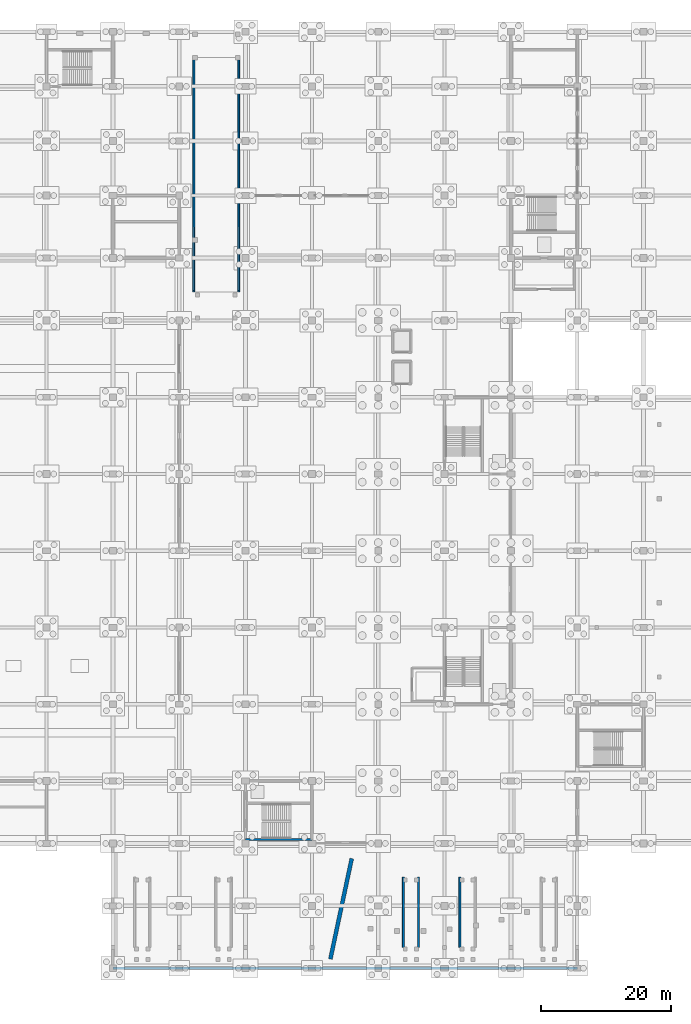
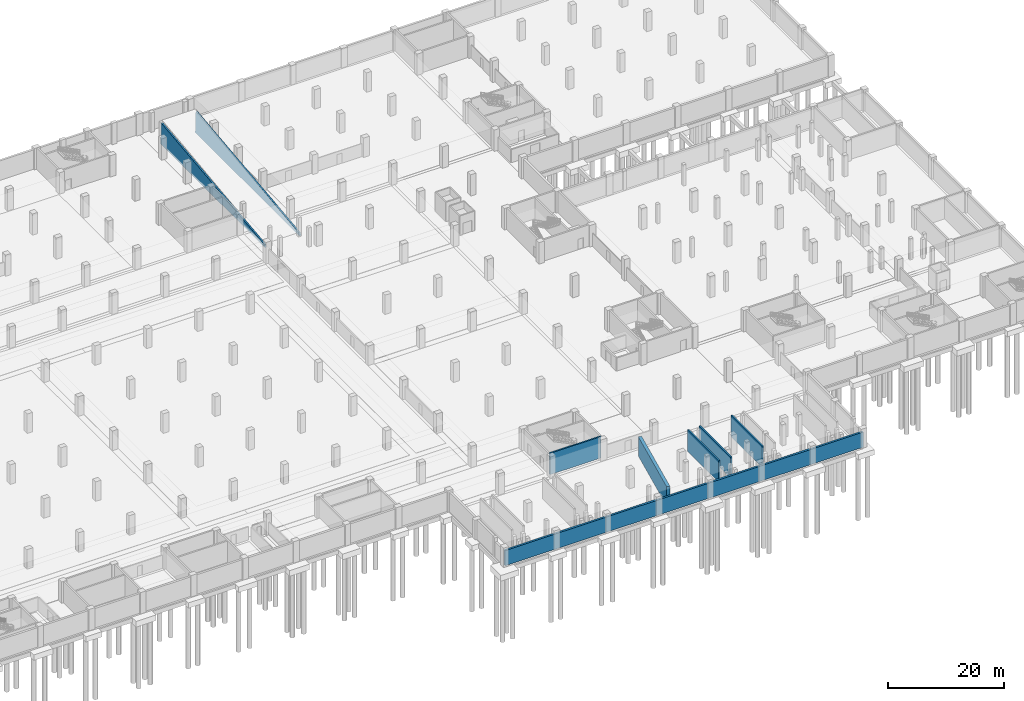
# One storey, part 34 of 52: 8 walls.
"""IFC4 building model written with IfcOpenShell, lengths in metres."""

from ifc_helpers import new_model, si_unit, direction, frame, frame_2d, origin, place, context, subcontext, project, spatial, polyline, rectangle, outline, extrude, material, layer, layer_set, type_object, element, save


model = new_model("IFC4")

# Units and contexts
model_context = context("Model", 3, precision=1e-05, world=origin(), true_north=direction((0.0, 1.0)))
body_context = subcontext(model_context, "Body", "Model", "MODEL_VIEW")
ifc_project = project(units=[si_unit("LENGTHUNIT", "METRE"), si_unit("AREAUNIT", "SQUARE_METRE"), si_unit("VOLUMEUNIT", "CUBIC_METRE"), si_unit("PLANEANGLEUNIT", "RADIAN"), si_unit("MASSUNIT", "GRAM", prefix="KILO")], contexts=[model_context])

# Site, building, storey
site_placement = place(None, origin())
site = spatial("IfcSite", under=ifc_project, at=site_placement, CompositionType="ELEMENT")
building_placement = place(site_placement, origin())
building = spatial("IfcBuilding", under=site, at=building_placement, Name="Brelvane Convention Centre", CompositionType="ELEMENT")
storey_placement = place(building_placement, frame((0.0, 0.0, -4.5)))
storey = spatial("IfcBuildingStorey", under=building, at=storey_placement, Name="B1", CompositionType="ELEMENT", Elevation=-4.5)

# Walls
ifc_material_1 = material(Name="Concrete M50", Category="concrete")
ifc_layer_1 = layer(ifc_material_1, 0.60009765625)
ifc_layer_set_1 = layer_set([ifc_layer_1], Name="Concrete M50")
wall_type_1 = type_object("IfcWallType", Name="Structural Wall WL-BUTT-600", PredefinedType="SHEAR", material=ifc_layer_set_1)
wall_1_placement = place(storey_placement, frame((138.72705078125, 16.87451171875, 0.0), z_axis=(0.0, 0.0, 1.0), x_axis=(-0.207907913958, -0.978148403522, 0.0)))
element("IfcWall", 1, at=wall_1_placement, inside=storey, type_object=wall_type_1, Name="Canopy Thrust Foundation Wall B1", PredefinedType="SHEAR", context=body_context, shape_type="SweptSolid", body=[
    extrude(rectangle(XDim=15.7998046875, YDim=0.60009765625, at=frame_2d((7.89990234375, 0.0))), origin(), (0.0, 0.0, 1.0), 4.050048828125),
])
ifc_material_2 = material(Name="Concrete M50", Category="concrete")
ifc_layer_2 = layer(ifc_material_2, 0.300048828125)
ifc_layer_set_2 = layer_set([ifc_layer_2], Name="Concrete M50")
wall_type_2 = type_object("IfcWallType", Name="Structural Wall WL-CORE-300", PredefinedType="SHEAR", material=ifc_layer_set_2)
wall_2_placement = place(storey_placement, frame((122.39990234375, 19.800048828125, 0.0), z_axis=(0.0, 0.0, 1.0), x_axis=(1.0, 0.0, 0.0)))
element("IfcWall", 2, at=wall_2_placement, inside=storey, type_object=wall_type_2, Name="Core C2 Shear Wall S (B1)", PredefinedType="SHEAR", context=body_context, shape_type="SweptSolid", body=[
    extrude(rectangle(XDim=10.2001953125, YDim=0.300048828125, at=frame_2d((5.10009765625, 0.0))), origin(), (0.0, 0.0, 1.0), 4.5),
])
for number, where, z_axis, x_axis, name in (
    (3, (114.449951171875, 104.0, -0.449951171875), (0.0, 0.0, 1.0), (0.0, 1.0, 0.0), "Service Ramp Support Wall W"),
    (4, (121.35009765625, 104.0, -0.449951171875), (0.0, 0.0, 1.0), (0.0, 1.0, 0.0), "Service Ramp Support Wall E"),
):
    element("IfcWall", number, at=place(storey_placement, frame(where, z_axis=z_axis, x_axis=x_axis)), inside=storey, type_object=wall_type_2, Name=name, PredefinedType="SHEAR", context=body_context, shape_type="SweptSolid", body=[
        extrude(outline(polyline([(0.0, 0.0), (36.0, 0.0), (35.800048828125, 4.550048828125), (0.199951171875, 0.550048828125), (0.0, 0.0)])), frame((0.0, 0.14990234375, 0.0), z_axis=(0.0, -1.0, 0.0), x_axis=(1.0, 0.0, 0.0)), (0.0, 0.0, 1.0), 0.300048828125),
    ])
for number, where, z_axis, x_axis, name in (
    (5, (146.64990234375, 3.199951171875, 0.0), (0.0, 0.0, 1.0), (0.0, 1.0, 0.0), "Plaza Ramp AR-03 Support Wall W"),
    (6, (148.989990234375, 3.199951171875, 0.0), (0.0, 0.0, 1.0), (0.0, 1.0, 0.0), "Plaza Ramp AR-03 Support Wall E"),
    (7, (155.35009765625, 3.199951171875, 0.0), (0.0, 0.0, 1.0), (0.0, 1.0, 0.0), "Plaza Ramp AR-04 Support Wall W"),
):
    element("IfcWall", number, at=place(storey_placement, frame(where, z_axis=z_axis, x_axis=x_axis)), inside=storey, type_object=wall_type_2, Name=name, PredefinedType="SHEAR", context=body_context, shape_type="SweptSolid", body=[
        extrude(rectangle(XDim=10.800048828125, YDim=0.300048828125, at=frame_2d((5.39990234375, 0.0))), origin(), (0.0, 0.0, 1.0), 4.47998046875),
    ])
ifc_material_3 = material(Name="Concrete M40", Category="concrete")
ifc_layer_3 = layer(ifc_material_3, 0.39990234375)
ifc_layer_set_3 = layer_set([ifc_layer_3], Name="Concrete M40")
wall_type_3 = type_object("IfcWallType", Name="Structural Wall WL-RET-400", PredefinedType="SOLIDWALL", material=ifc_layer_set_3)
wall_3_placement = place(storey_placement, frame((102.0, 0.0, 0.0), z_axis=(0.0, 0.0, 1.0), x_axis=(1.0, 0.0, 0.0)))
element("IfcWall", 8, at=wall_3_placement, inside=storey, type_object=wall_type_3, Name="Basement Retaining Wall S-PLAZA", PredefinedType="SOLIDWALL", context=body_context, shape_type="SweptSolid", body=[
    extrude(rectangle(XDim=71.39990234375, YDim=0.39990234375, at=frame_2d((35.699951171875, 0.0))), origin(), (0.0, 0.0, 1.0), 3.199951171875),
])

save(model, "model.ifc")
